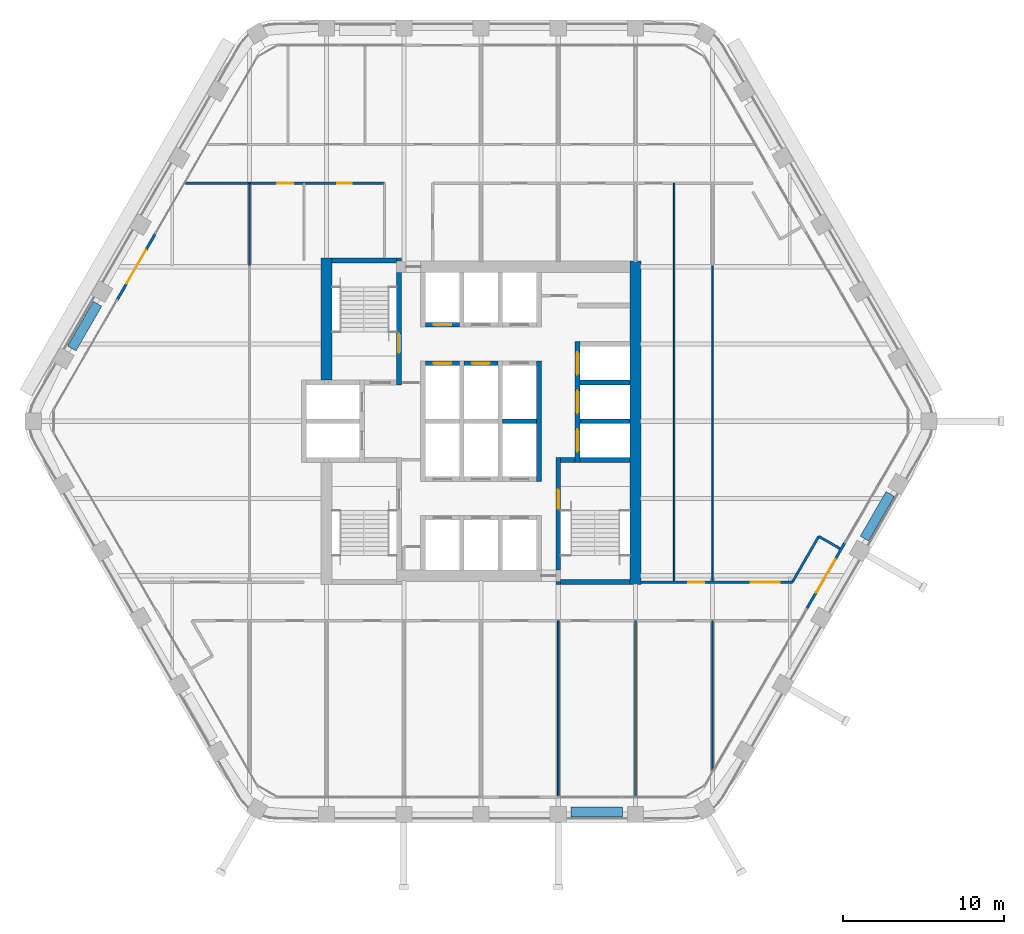
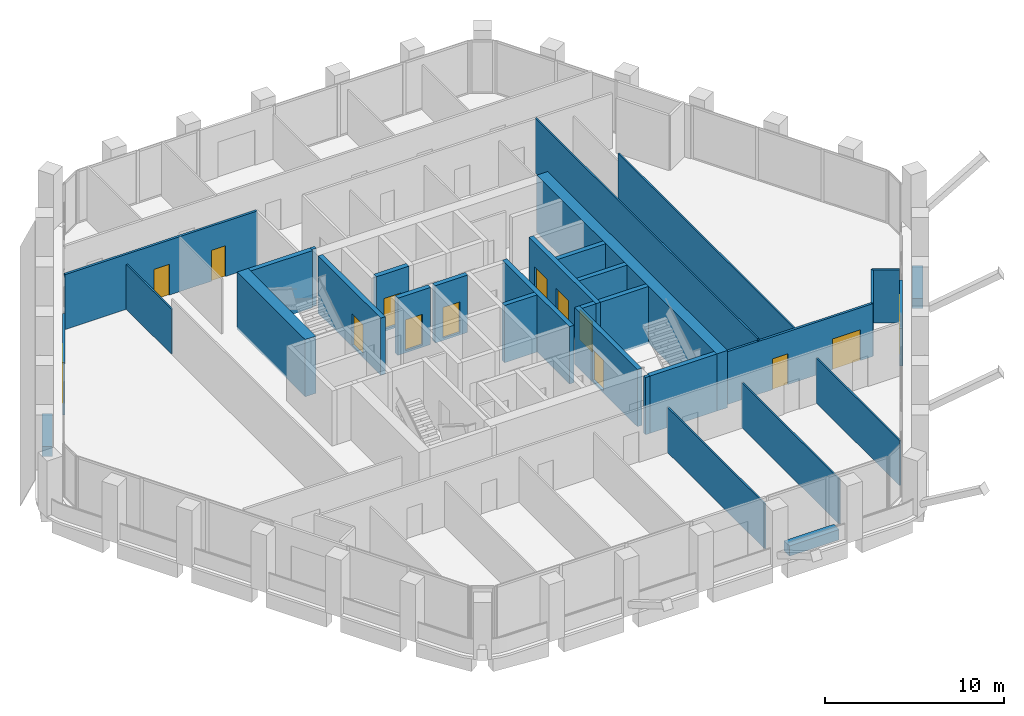
# One storey, part 11 of 16: 33 walls, 14 doors, 14 openings.
"""IFC4 building model written with IfcOpenShell, lengths in metres."""

from ifc_helpers import new_model, si_unit, direction, frame, frame_2d, origin, place, context, subcontext, project, spatial, rectangle, extrude, material, layer, layer_set, type_object, element, fill, save


model = new_model("IFC4")

# Units and contexts
model_context = context("Model", 3, precision=1e-05, world=origin(), true_north=direction((0.0, 1.0)))
body_context = subcontext(model_context, "Body", "Model", "MODEL_VIEW")
ifc_project = project(units=[si_unit("LENGTHUNIT", "METRE"), si_unit("AREAUNIT", "SQUARE_METRE"), si_unit("VOLUMEUNIT", "CUBIC_METRE"), si_unit("PLANEANGLEUNIT", "RADIAN"), si_unit("MASSUNIT", "GRAM", prefix="KILO")], contexts=[model_context])

# Site, building, storey
site_placement = place(None, origin())
site = spatial("IfcSite", under=ifc_project, at=site_placement, CompositionType="ELEMENT")
building_placement = place(site_placement, origin())
building = spatial("IfcBuilding", under=site, at=building_placement, Name="Kolab Exchange Tower", CompositionType="ELEMENT")
storey_placement = place(building_placement, frame((0.0, 0.0, 193.39990234375)))
storey = spatial("IfcBuildingStorey", under=building, at=storey_placement, Name="L41", CompositionType="ELEMENT", Elevation=193.39990234375)

# Walls
ifc_material_1 = material(Name="Concrete C60/75", Category="concrete")
ifc_layer_1 = layer(ifc_material_1, 0.699951171875)
ifc_layer_set_1 = layer_set([ifc_layer_1], Name="Concrete C60/75")
wall_type_1 = type_object("IfcWallType", Name="CORE WALL 700 C60/75", PredefinedType="SHEAR", material=ifc_layer_set_1)
wall_1_placement = place(storey_placement, frame((-9.60009765625, 2.550048828125, -0.14990234375), z_axis=(0.0, 0.0, 1.0), x_axis=(0.0, 1.0, 0.0)))
element("IfcWall", 1, at=wall_1_placement, inside=storey, type_object=wall_type_1, Name="wall/L41/core/037", PredefinedType="SHEAR", context=body_context, shape_type="SweptSolid", body=[
    extrude(rectangle(XDim=7.599853515625, YDim=0.699951171875, at=frame_2d((3.7998046875, 0.0))), origin(), (0.0, 0.0, 1.0), 3.89990234375),
])
wall_2_placement = place(storey_placement, frame((9.60009765625, -10.14990234375, -0.14990234375), z_axis=(0.0, 0.0, 1.0), x_axis=(0.0, 1.0, 0.0)))
element("IfcWall", 2, at=wall_2_placement, inside=storey, type_object=wall_type_1, Name="wall/L41/core/058", PredefinedType="SHEAR", context=body_context, shape_type="SweptSolid", body=[
    extrude(rectangle(XDim=20.099853515625, YDim=0.699951171875, at=frame_2d((10.0498046875, 0.0))), origin(), (0.0, 0.0, 1.0), 3.89990234375),
])

# Wall, opening, door
ifc_material_2 = material(Name="Aluminium EN AW-6063 T6", Category="aluminium")
ifc_layer_2 = layer(ifc_material_2, 0.159912109375)
ifc_layer_set_2 = layer_set([ifc_layer_2], Name="Aluminium EN AW-6063 T6")
wall_type_2 = type_object("IfcWallType", Name="DOOR SURROUND WALL 160 ALUMINIUM FRAMED", PredefinedType="PARTITIONING", material=ifc_layer_set_2)
wall_3_placement = place(storey_placement, frame((22.61669921875, -7.5498046875, 0.0), z_axis=(0.0, 0.0, 1.0), x_axis=(-0.5000167099, -0.866015756104, 0.0)))
wall_3 = element("IfcWall", 3, at=wall_3_placement, inside=storey, type_object=wall_type_2, Name="Door surround wall", PredefinedType="PARTITIONING", context=body_context, shape_type="SweptSolid", body=[
    extrude(rectangle(XDim=4.739990234375, YDim=0.159912109375, at=frame_2d((2.3701171875, 0.0))), origin(), (0.0, 0.0, 1.0), 2.550048828125),
])
opening_1_placement = place(wall_3_placement, frame((1.169921875, 0.0, 0.0)))
opening_1 = element("IfcOpeningElement", 4, at=opening_1_placement, cuts=wall_3, Name="Opening GD1-082", PredefinedType="OPENING", context=body_context, shape_type="SweptSolid", body=[
    extrude(rectangle(XDim=2.39990234375, YDim=2.39990234375, at=frame_2d((1.199951171875, 1.199951171875))), frame((0.0, 0.08984375, 0.0), z_axis=(0.0, -1.0, 0.0), x_axis=(1.0, 0.0, 0.0)), (0.0, 0.0, 1.0), 0.179931640625),
])
door_type_1 = type_object("IfcDoorType", Name="LOGGIA SLIDING GLASS DOOR 2400 X 2400", OperationType="DOUBLE_DOOR_SINGLE_SWING", PredefinedType="DOOR", material=ifc_material_2)
door_1_placement = place(opening_1_placement, origin())
door_1 = element("IfcDoor", 5, at=door_1_placement, inside=storey, type_object=door_type_1, Name="Loggia door", OperationType="DOUBLE_DOOR_SLIDING", OverallHeight=2.39990234375, OverallWidth=2.39990234375, PredefinedType="DOOR", context=body_context, shape_type="SweptSolid", body=[
    extrude(rectangle(XDim=2.39990234375, YDim=2.39990234375, at=frame_2d((1.199951171875, 1.199951171875))), frame((0.0, 0.02490234375, 0.0), z_axis=(0.0, -1.0, 0.0), x_axis=(1.0, 0.0, 0.0)), (0.0, 0.0, 1.0), 0.050048828125),
])
fill(opening_1, door_1)

wall_4_placement = place(storey_placement, frame((-22.61669921875, 7.5498046875, 0.0), z_axis=(0.0, 0.0, 1.0), x_axis=(0.5000167099, 0.866015756104, 0.0)))
wall_4 = element("IfcWall", 6, at=wall_4_placement, inside=storey, type_object=wall_type_2, Name="Door surround wall", PredefinedType="PARTITIONING", context=body_context, shape_type="SweptSolid", body=[
    extrude(rectangle(XDim=4.739990234375, YDim=0.159912109375, at=frame_2d((2.3701171875, 0.0))), origin(), (0.0, 0.0, 1.0), 3.60009765625),
])
opening_2_placement = place(wall_4_placement, frame((1.169921875, 0.0, 0.0)))
opening_2 = element("IfcOpeningElement", 7, at=opening_2_placement, cuts=wall_4, Name="Opening GD1-078", PredefinedType="OPENING", context=body_context, shape_type="SweptSolid", body=[
    extrude(rectangle(XDim=2.39990234375, YDim=2.39990234375, at=frame_2d((1.199951171875, 1.199951171875))), frame((0.0, 0.08984375, 0.0), z_axis=(0.0, -1.0, 0.0), x_axis=(1.0, 0.0, 0.0)), (0.0, 0.0, 1.0), 0.179931640625),
])
door_2_placement = place(opening_2_placement, origin())
door_2 = element("IfcDoor", 8, at=door_2_placement, inside=storey, type_object=door_type_1, Name="Loggia door", OperationType="DOUBLE_DOOR_SLIDING", OverallHeight=2.39990234375, OverallWidth=2.39990234375, PredefinedType="DOOR", context=body_context, shape_type="SweptSolid", body=[
    extrude(rectangle(XDim=2.39990234375, YDim=2.39990234375, at=frame_2d((1.199951171875, 1.199951171875))), frame((0.0, 0.02490234375, 0.0), z_axis=(0.0, -1.0, 0.0), x_axis=(1.0, 0.0, 0.0)), (0.0, 0.0, 1.0), 0.050048828125),
])
fill(opening_2, door_2)

# Walls
ifc_material_3 = material(Name="Concrete C50/60", Category="concrete")
ifc_layer_3 = layer(ifc_material_3, 0.300048828125)
ifc_layer_set_3 = layer_set([ifc_layer_3], Name="Concrete C50/60")
wall_type_3 = type_object("IfcWallType", Name="LIFT SHAFT WALL 300 C50/60", PredefinedType="STANDARD", material=ifc_layer_set_3)
wall_5_placement = place(storey_placement, frame((1.35009765625, 0.0, -0.14990234375), z_axis=(0.0, 0.0, 1.0), x_axis=(1.0, 0.0, 0.0)))
element("IfcWall", 9, at=wall_5_placement, inside=storey, type_object=wall_type_3, Name="wall/L41/core/017", PredefinedType="STANDARD", context=body_context, shape_type="SweptSolid", body=[
    extrude(rectangle(XDim=2.099853515625, YDim=0.300048828125, at=frame_2d((1.0498046875, 0.0))), origin(), (0.0, 0.0, 1.0), 3.89990234375),
])
for number, where, z_axis, x_axis, name in (
    (10, (6.14990234375, 0.0, -0.14990234375), (0.0, 0.0, 1.0), (1.0, 0.0, 0.0), "wall/L41/core/018"),
    (11, (6.14990234375, 2.39990234375, -0.14990234375), (0.0, 0.0, 1.0), (1.0, 0.0, 0.0), "wall/L41/core/022"),
):
    element("IfcWall", number, at=place(storey_placement, frame(where, z_axis=z_axis, x_axis=x_axis)), inside=storey, type_object=wall_type_3, Name=name, PredefinedType="STANDARD", context=body_context, shape_type="SweptSolid", body=[
        extrude(rectangle(XDim=3.10009765625, YDim=0.300048828125, at=frame_2d((1.550048828125, 0.0))), origin(), (0.0, 0.0, 1.0), 3.89990234375),
    ])

# Wall, opening, door
wall_6_placement = place(storey_placement, frame((-3.449951171875, 3.60009765625, -0.14990234375), z_axis=(0.0, 0.0, 1.0), x_axis=(1.0, 0.0, 0.0)))
wall_6 = element("IfcWall", 12, at=wall_6_placement, inside=storey, type_object=wall_type_3, Name="wall/L41/core/023", PredefinedType="STANDARD", context=body_context, shape_type="SweptSolid", body=[
    extrude(rectangle(XDim=2.099853515625, YDim=0.300048828125, at=frame_2d((1.0498046875, 0.0))), origin(), (0.0, 0.0, 1.0), 3.89990234375),
])
opening_3_placement = place(wall_6_placement, frame((0.5, 0.0, 0.14990234375)))
opening_3 = element("IfcOpeningElement", 13, at=opening_3_placement, cuts=wall_6, Name="Opening LD1-115", PredefinedType="OPENING", context=body_context, shape_type="SweptSolid", body=[
    extrude(rectangle(XDim=1.10009765625, YDim=2.10009765625, at=frame_2d((0.550048828125, 1.050048828125))), frame((0.0, 0.16015625, 0.0), z_axis=(0.0, -1.0, 0.0), x_axis=(1.0, 0.0, 0.0)), (0.0, 0.0, 1.0), 0.320068359375),
])
ifc_material_4 = material(Name="Stainless steel 316", Category="steel")
door_type_2 = type_object("IfcDoorType", Name="LANDING DOOR 1100 PASSENGER", OperationType="DOUBLE_DOOR_SLIDING", PredefinedType="DOOR", material=ifc_material_4)
door_3_placement = place(opening_3_placement, origin())
door_3 = element("IfcDoor", 14, at=door_3_placement, inside=storey, type_object=door_type_2, Name="Landing door HR4", OperationType="DOUBLE_DOOR_SLIDING", OverallHeight=2.10009765625, OverallWidth=1.10009765625, PredefinedType="DOOR", context=body_context, shape_type="SweptSolid", body=[
    extrude(rectangle(XDim=1.10009765625, YDim=2.10009765625, at=frame_2d((0.550048828125, 1.050048828125))), frame((0.0, 0.02490234375, 0.0), z_axis=(0.0, -1.0, 0.0), x_axis=(1.0, 0.0, 0.0)), (0.0, 0.0, 1.0), 0.050048828125),
])
fill(opening_3, door_3)

wall_7_placement = place(storey_placement, frame((-1.050048828125, 3.60009765625, -0.14990234375), z_axis=(0.0, 0.0, 1.0), x_axis=(1.0, 0.0, 0.0)))
wall_7 = element("IfcWall", 15, at=wall_7_placement, inside=storey, type_object=wall_type_3, Name="wall/L41/core/024", PredefinedType="STANDARD", context=body_context, shape_type="SweptSolid", body=[
    extrude(rectangle(XDim=2.10009765625, YDim=0.300048828125, at=frame_2d((1.050048828125, 0.0))), origin(), (0.0, 0.0, 1.0), 3.89990234375),
])
opening_4_placement = place(wall_7_placement, frame((0.5, 0.0, 0.14990234375)))
opening_4 = element("IfcOpeningElement", 16, at=opening_4_placement, cuts=wall_7, Name="Opening LD1-116", PredefinedType="OPENING", context=body_context, shape_type="SweptSolid", body=[
    extrude(rectangle(XDim=1.10009765625, YDim=2.10009765625, at=frame_2d((0.550048828125, 1.050048828125))), frame((0.0, 0.16015625, 0.0), z_axis=(0.0, -1.0, 0.0), x_axis=(1.0, 0.0, 0.0)), (0.0, 0.0, 1.0), 0.320068359375),
])
door_4_placement = place(opening_4_placement, origin())
door_4 = element("IfcDoor", 17, at=door_4_placement, inside=storey, type_object=door_type_2, Name="Landing door HR5", OperationType="DOUBLE_DOOR_SLIDING", OverallHeight=2.10009765625, OverallWidth=1.10009765625, PredefinedType="DOOR", context=body_context, shape_type="SweptSolid", body=[
    extrude(rectangle(XDim=1.10009765625, YDim=2.10009765625, at=frame_2d((0.550048828125, 1.050048828125))), frame((0.0, 0.02490234375, 0.0), z_axis=(0.0, -1.0, 0.0), x_axis=(1.0, 0.0, 0.0)), (0.0, 0.0, 1.0), 0.050048828125),
])
fill(opening_4, door_4)

wall_8_placement = place(storey_placement, frame((-3.449951171875, 6.0, -0.14990234375), z_axis=(0.0, 0.0, 1.0), x_axis=(1.0, 0.0, 0.0)))
wall_8 = element("IfcWall", 18, at=wall_8_placement, inside=storey, type_object=wall_type_3, Name="wall/L41/core/027", PredefinedType="STANDARD", context=body_context, shape_type="SweptSolid", body=[
    extrude(rectangle(XDim=2.099853515625, YDim=0.300048828125, at=frame_2d((1.0498046875, 0.0))), origin(), (0.0, 0.0, 1.0), 3.89990234375),
])
opening_5_placement = place(wall_8_placement, frame((0.5, 0.0, 0.14990234375)))
opening_5 = element("IfcOpeningElement", 19, at=opening_5_placement, cuts=wall_8, Name="Opening LD1-109", PredefinedType="OPENING", context=body_context, shape_type="SweptSolid", body=[
    extrude(rectangle(XDim=1.10009765625, YDim=2.10009765625, at=frame_2d((0.550048828125, 1.050048828125))), frame((0.0, 0.16015625, 0.0), z_axis=(0.0, -1.0, 0.0), x_axis=(1.0, 0.0, 0.0)), (0.0, 0.0, 1.0), 0.320068359375),
])
door_5_placement = place(opening_5_placement, origin())
door_5 = element("IfcDoor", 20, at=door_5_placement, inside=storey, type_object=door_type_2, Name="Landing door HR1", OperationType="DOUBLE_DOOR_SLIDING", OverallHeight=2.10009765625, OverallWidth=1.10009765625, PredefinedType="DOOR", context=body_context, shape_type="SweptSolid", body=[
    extrude(rectangle(XDim=1.10009765625, YDim=2.10009765625, at=frame_2d((0.550048828125, 1.050048828125))), frame((0.0, 0.02490234375, 0.0), z_axis=(0.0, -1.0, 0.0), x_axis=(1.0, 0.0, 0.0)), (0.0, 0.0, 1.0), 0.050048828125),
])
fill(opening_5, door_5)

# Wall
wall_9_placement = place(storey_placement, frame((3.60009765625, -3.75, -0.14990234375), z_axis=(0.0, 0.0, 1.0), x_axis=(0.0, 1.0, 0.0)))
element("IfcWall", 21, at=wall_9_placement, inside=storey, type_object=wall_type_3, Name="wall/L41/core/053", PredefinedType="STANDARD", context=body_context, shape_type="SweptSolid", body=[
    extrude(rectangle(XDim=7.5, YDim=0.300048828125, at=frame_2d((3.75, 0.0))), origin(), (0.0, 0.0, 1.0), 3.89990234375),
])

# Wall, openings, doors
wall_10_placement = place(storey_placement, frame((6.0, -2.550048828125, -0.14990234375), z_axis=(0.0, 0.0, 1.0), x_axis=(0.0, 1.0, 0.0)))
wall_10 = element("IfcWall", 22, at=wall_10_placement, inside=storey, type_object=wall_type_3, Name="wall/L41/core/057", PredefinedType="STANDARD", context=body_context, shape_type="SweptSolid", body=[
    extrude(rectangle(XDim=7.5, YDim=0.300048828125, at=frame_2d((3.75, 0.0))), origin(), (0.0, 0.0, 1.0), 3.89990234375),
])
opening_6_placement = place(wall_10_placement, frame((0.64990234375, 0.0, 0.14990234375)))
opening_6 = element("IfcOpeningElement", 23, at=opening_6_placement, cuts=wall_10, Name="Opening LD3-037", PredefinedType="OPENING", context=body_context, shape_type="SweptSolid", body=[
    extrude(rectangle(XDim=1.39990234375, YDim=2.10009765625, at=frame_2d((0.699951171875, 1.050048828125))), frame((0.0, 0.16015625, 0.0), z_axis=(0.0, -1.0, 0.0), x_axis=(1.0, 0.0, 0.0)), (0.0, 0.0, 1.0), 0.320068359375),
])
opening_7_placement = place(wall_10_placement, frame((3.050048828125, 0.0, 0.14990234375)))
opening_7 = element("IfcOpeningElement", 24, at=opening_7_placement, cuts=wall_10, Name="Opening LD3-038", PredefinedType="OPENING", context=body_context, shape_type="SweptSolid", body=[
    extrude(rectangle(XDim=1.39990234375, YDim=2.10009765625, at=frame_2d((0.699951171875, 1.050048828125))), frame((0.0, 0.16015625, 0.0), z_axis=(0.0, -1.0, 0.0), x_axis=(1.0, 0.0, 0.0)), (0.0, 0.0, 1.0), 0.320068359375),
])
opening_8_placement = place(wall_10_placement, frame((5.449951171875, 0.0, 0.14990234375)))
opening_8 = element("IfcOpeningElement", 25, at=opening_8_placement, cuts=wall_10, Name="Opening LD3-039", PredefinedType="OPENING", context=body_context, shape_type="SweptSolid", body=[
    extrude(rectangle(XDim=1.39990234375, YDim=2.10009765625, at=frame_2d((0.699951171875, 1.050048828125))), frame((0.0, 0.16015625, 0.0), z_axis=(0.0, -1.0, 0.0), x_axis=(1.0, 0.0, 0.0)), (0.0, 0.0, 1.0), 0.320068359375),
])
door_type_3 = type_object("IfcDoorType", Name="LANDING DOOR 1400 SERVICE", OperationType="DOUBLE_DOOR_SLIDING", PredefinedType="DOOR", material=ifc_material_4)
door_6_placement = place(opening_6_placement, origin())
door_6 = element("IfcDoor", 26, at=door_6_placement, inside=storey, type_object=door_type_3, Name="Landing door SV1", OperationType="DOUBLE_DOOR_SLIDING", OverallHeight=2.10009765625, OverallWidth=1.39990234375, PredefinedType="DOOR", context=body_context, shape_type="SweptSolid", body=[
    extrude(rectangle(XDim=1.39990234375, YDim=2.10009765625, at=frame_2d((0.699951171875, 1.050048828125))), frame((0.0, 0.02490234375, 0.0), z_axis=(0.0, -1.0, 0.0), x_axis=(1.0, 0.0, 0.0)), (0.0, 0.0, 1.0), 0.050048828125),
])
fill(opening_6, door_6)
door_7_placement = place(opening_7_placement, origin())
door_7 = element("IfcDoor", 27, at=door_7_placement, inside=storey, type_object=door_type_3, Name="Landing door SV2", OperationType="DOUBLE_DOOR_SLIDING", OverallHeight=2.10009765625, OverallWidth=1.39990234375, PredefinedType="DOOR", context=body_context, shape_type="SweptSolid", body=[
    extrude(rectangle(XDim=1.39990234375, YDim=2.10009765625, at=frame_2d((0.699951171875, 1.050048828125))), frame((0.0, 0.02490234375, 0.0), z_axis=(0.0, -1.0, 0.0), x_axis=(1.0, 0.0, 0.0)), (0.0, 0.0, 1.0), 0.050048828125),
])
fill(opening_7, door_7)
door_8_placement = place(opening_8_placement, origin())
door_8 = element("IfcDoor", 28, at=door_8_placement, inside=storey, type_object=door_type_3, Name="Landing door SV3", OperationType="DOUBLE_DOOR_SLIDING", OverallHeight=2.10009765625, OverallWidth=1.39990234375, PredefinedType="DOOR", context=body_context, shape_type="SweptSolid", body=[
    extrude(rectangle(XDim=1.39990234375, YDim=2.10009765625, at=frame_2d((0.699951171875, 1.050048828125))), frame((0.0, 0.02490234375, 0.0), z_axis=(0.0, -1.0, 0.0), x_axis=(1.0, 0.0, 0.0)), (0.0, 0.0, 1.0), 0.050048828125),
])
fill(opening_8, door_8)

# Walls
ifc_material_5 = material(Name="Gypsum board", Category="gypsum")
ifc_layer_4 = layer(ifc_material_5, 0.10009765625)
ifc_layer_set_4 = layer_set([ifc_layer_4], Name="Gypsum board")
wall_type_4 = type_object("IfcWallType", Name="PARTITION 100", PredefinedType="PARTITIONING", material=ifc_layer_set_4)
wall_11_placement = place(storey_placement, frame((14.39990234375, -21.701416015625, 0.0), z_axis=(0.0, 0.0, 1.0), x_axis=(0.0, 1.0, 0.0)))
element("IfcWall", 29, at=wall_11_placement, inside=storey, type_object=wall_type_4, Name="Partition 000", PredefinedType="PARTITIONING", context=body_context, shape_type="SweptSolid", body=[
    extrude(rectangle(XDim=9.301513671875, YDim=0.10009765625, at=frame_2d((4.65087890625, 0.0))), origin(), (0.0, 0.0, 1.0), 3.066162109375),
])
wall_12_placement = place(storey_placement, frame((14.39990234375, -10.0, 0.0), z_axis=(0.0, 0.0, 1.0), x_axis=(0.0, 1.0, 0.0)))
element("IfcWall", 30, at=wall_12_placement, inside=storey, type_object=wall_type_4, Name="Partition 001", PredefinedType="PARTITIONING", context=body_context, shape_type="SweptSolid", body=[
    extrude(rectangle(XDim=19.693603515625, YDim=0.10009765625, at=frame_2d((9.8466796875, 0.0))), origin(), (0.0, 0.0, 1.0), 3.60009765625),
])
wall_13_placement = place(storey_placement, frame((12.0, -10.0, 0.0), z_axis=(0.0, 0.0, 1.0), x_axis=(0.0, 1.0, 0.0)))
element("IfcWall", 31, at=wall_13_placement, inside=storey, type_object=wall_type_4, Name="Partition 002", PredefinedType="PARTITIONING", context=body_context, shape_type="SweptSolid", body=[
    extrude(rectangle(XDim=24.800048828125, YDim=0.10009765625, at=frame_2d((12.39990234375, 0.0))), origin(), (0.0, 0.0, 1.0), 3.75),
])
wall_14_placement = place(storey_placement, frame((9.60009765625, -23.271484375, 0.0), z_axis=(0.0, 0.0, 1.0), x_axis=(0.0, 1.0, 0.0)))
element("IfcWall", 32, at=wall_14_placement, inside=storey, type_object=wall_type_4, Name="Partition 003", PredefinedType="PARTITIONING", context=body_context, shape_type="SweptSolid", body=[
    extrude(rectangle(XDim=10.87158203125, YDim=0.10009765625, at=frame_2d((5.435791015625, 0.0))), origin(), (0.0, 0.0, 1.0), 3.066162109375),
])
wall_15_placement = place(storey_placement, frame((4.800048828125, -23.281494140625, 0.0), z_axis=(0.0, 0.0, 1.0), x_axis=(0.0, 1.0, 0.0)))
element("IfcWall", 33, at=wall_15_placement, inside=storey, type_object=wall_type_4, Name="Partition 006", PredefinedType="PARTITIONING", context=body_context, shape_type="SweptSolid", body=[
    extrude(rectangle(XDim=10.881591796875, YDim=0.10009765625, at=frame_2d((5.44091796875, 0.0))), origin(), (0.0, 0.0, 1.0), 3.066162109375),
])
wall_16_placement = place(storey_placement, frame((-14.39990234375, 9.693603515625, 0.0), z_axis=(0.0, 0.0, 1.0), x_axis=(0.0, 1.0, 0.0)))
element("IfcWall", 34, at=wall_16_placement, inside=storey, type_object=wall_type_4, Name="Partition 021", PredefinedType="PARTITIONING", context=body_context, shape_type="SweptSolid", body=[
    extrude(rectangle(XDim=5.1064453125, YDim=0.10009765625, at=frame_2d((2.55322265625, 0.0))), origin(), (0.0, 0.0, 1.0), 3.066162109375),
])
ifc_layer_5 = layer(ifc_material_5, 0.14990234375)
ifc_layer_set_5 = layer_set([ifc_layer_5], Name="Gypsum board")
wall_type_5 = type_object("IfcWallType", Name="PARTITION 150 FIRE-RATED", PredefinedType="PARTITIONING", material=ifc_layer_set_5)
wall_17_placement = place(storey_placement, frame((19.3544921875, -10.0, 0.0), z_axis=(0.0, 0.0, 1.0), x_axis=(0.500009969958, 0.86601964755, 0.0)))
element("IfcWall", 35, at=wall_17_placement, inside=storey, type_object=wall_type_5, Name="Partition 024", PredefinedType="PARTITIONING", context=body_context, shape_type="SweptSolid", body=[
    extrude(rectangle(XDim=3.283203125, YDim=0.14990234375, at=frame_2d((1.6416015625, 0.0))), origin(), (0.0, 0.0, 1.0), 3.60009765625),
])
wall_18_placement = place(storey_placement, frame((20.99609375, -7.15673828125, 0.0), z_axis=(0.0, 0.0, 1.0), x_axis=(0.865960906633, -0.500111695708, 0.0)))
element("IfcWall", 36, at=wall_18_placement, inside=storey, type_object=wall_type_5, Name="Partition 025", PredefinedType="PARTITIONING", context=body_context, shape_type="SweptSolid", body=[
    extrude(rectangle(XDim=1.520263671875, YDim=0.14990234375, at=frame_2d((0.76025390625, 0.0))), origin(), (0.0, 0.0, 1.0), 3.60009765625),
])

# Wall, openings, doors
wall_19_placement = place(storey_placement, frame((9.949951171875, -10.0, 0.0), z_axis=(0.0, 0.0, 1.0), x_axis=(1.0, 0.0, 0.0)))
wall_19 = element("IfcWall", 37, at=wall_19_placement, inside=storey, type_object=wall_type_5, Name="Partition 030", PredefinedType="PARTITIONING", context=body_context, shape_type="SweptSolid", body=[
    extrude(rectangle(XDim=9.404541015625, YDim=0.14990234375, at=frame_2d((4.7021484375, 0.0))), origin(), (0.0, 0.0, 1.0), 3.60009765625),
])
opening_9_placement = place(wall_19_placement, frame((2.925048828125, 0.0, 0.0)))
opening_9 = element("IfcOpeningElement", 38, at=opening_9_placement, cuts=wall_19, Name="Opening D1-547", PredefinedType="OPENING", context=body_context, shape_type="SweptSolid", body=[
    extrude(rectangle(XDim=1.0, YDim=2.10009765625, at=frame_2d((0.5, 1.050048828125))), frame((0.0, 0.0849609375, 0.0), z_axis=(0.0, -1.0, 0.0), x_axis=(1.0, 0.0, 0.0)), (0.0, 0.0, 1.0), 0.169921875),
])
opening_10_placement = place(wall_19_placement, frame((6.81640625, 0.0, 0.0)))
opening_10 = element("IfcOpeningElement", 39, at=opening_10_placement, cuts=wall_19, Name="Opening D2-056", PredefinedType="OPENING", context=body_context, shape_type="SweptSolid", body=[
    extrude(rectangle(XDim=1.800048828125, YDim=2.10009765625, at=frame_2d((0.89990234375, 1.050048828125))), frame((0.0, 0.0849609375, 0.0), z_axis=(0.0, -1.0, 0.0), x_axis=(1.0, 0.0, 0.0)), (0.0, 0.0, 1.0), 0.169921875),
])
ifc_material_6 = material(Name="Steel S235", Category="steel")
door_type_4 = type_object("IfcDoorType", Name="DOUBLE DOOR 1800 FD60", OperationType="DOUBLE_DOOR_SINGLE_SWING", PredefinedType="DOOR", material=ifc_material_6)
door_9_placement = place(opening_10_placement, origin())
door_9 = element("IfcDoor", 40, at=door_9_placement, inside=storey, type_object=door_type_4, Name="Door L41-050", OperationType="SINGLE_SWING_RIGHT", OverallHeight=2.10009765625, OverallWidth=1.800048828125, PredefinedType="DOOR", context=body_context, shape_type="SweptSolid", body=[
    extrude(rectangle(XDim=1.800048828125, YDim=2.10009765625, at=frame_2d((0.89990234375, 1.050048828125))), frame((0.0, 0.02490234375, 0.0), z_axis=(0.0, -1.0, 0.0), x_axis=(1.0, 0.0, 0.0)), (0.0, 0.0, 1.0), 0.050048828125),
])
fill(opening_10, door_9)
door_type_5 = type_object("IfcDoorType", Name="FLUSH DOOR 1000 FD60", OperationType="SINGLE_SWING_LEFT", PredefinedType="DOOR", material=ifc_material_6)
door_10_placement = place(opening_9_placement, origin())
door_10 = element("IfcDoor", 41, at=door_10_placement, inside=storey, type_object=door_type_5, Name="Door L41-049", OperationType="SINGLE_SWING_RIGHT", OverallHeight=2.10009765625, OverallWidth=1.0, PredefinedType="DOOR", context=body_context, shape_type="SweptSolid", body=[
    extrude(rectangle(XDim=1.0, YDim=2.10009765625, at=frame_2d((0.5, 1.050048828125))), frame((0.0, 0.02490234375, 0.0), z_axis=(0.0, -1.0, 0.0), x_axis=(1.0, 0.0, 0.0)), (0.0, 0.0, 1.0), 0.050048828125),
])
fill(opening_9, door_10)

wall_20_placement = place(storey_placement, frame((-18.384521484375, 14.800048828125, 0.0), z_axis=(0.0, 0.0, 1.0), x_axis=(1.0, 0.0, 0.0)))
wall_20 = element("IfcWall", 42, at=wall_20_placement, inside=storey, type_object=wall_type_5, Name="Partition 033", PredefinedType="PARTITIONING", context=body_context, shape_type="SweptSolid", body=[
    extrude(rectangle(XDim=12.384521484375, YDim=0.14990234375, at=frame_2d((6.1923828125, 0.0))), origin(), (0.0, 0.0, 1.0), 3.75),
])
opening_11_placement = place(wall_20_placement, frame((9.4345703125, 0.0, 0.0)))
opening_11 = element("IfcOpeningElement", 43, at=opening_11_placement, cuts=wall_20, Name="Opening D3-059", PredefinedType="OPENING", context=body_context, shape_type="SweptSolid", body=[
    extrude(rectangle(XDim=0.89990234375, YDim=2.10009765625, at=frame_2d((0.449951171875, 1.050048828125))), frame((0.0, 0.0849609375, 0.0), z_axis=(0.0, -1.0, 0.0), x_axis=(1.0, 0.0, 0.0)), (0.0, 0.0, 1.0), 0.169921875),
])
opening_12_placement = place(wall_20_placement, frame((5.709716796875, 0.0, 0.0)))
opening_12 = element("IfcOpeningElement", 44, at=opening_12_placement, cuts=wall_20, Name="Opening D1-548", PredefinedType="OPENING", context=body_context, shape_type="SweptSolid", body=[
    extrude(rectangle(XDim=1.0, YDim=2.10009765625, at=frame_2d((0.5, 1.050048828125))), frame((0.0, 0.0849609375, 0.0), z_axis=(0.0, -1.0, 0.0), x_axis=(1.0, 0.0, 0.0)), (0.0, 0.0, 1.0), 0.169921875),
])
door_11_placement = place(opening_12_placement, frame((1.0, 0.0, 0.0), z_axis=(0.0, 0.0, 1.0), x_axis=(-1.0, 0.0, 0.0)))
door_11 = element("IfcDoor", 45, at=door_11_placement, inside=storey, type_object=door_type_5, Name="Door L41-052", OperationType="SINGLE_SWING_RIGHT", OverallHeight=2.10009765625, OverallWidth=1.0, PredefinedType="DOOR", context=body_context, shape_type="SweptSolid", body=[
    extrude(rectangle(XDim=1.0, YDim=2.10009765625, at=frame_2d((0.5, 1.050048828125))), frame((0.0, 0.02490234375, 0.0), z_axis=(0.0, -1.0, 0.0), x_axis=(1.0, 0.0, 0.0)), (0.0, 0.0, 1.0), 0.050048828125),
])
fill(opening_12, door_11)
door_type_6 = type_object("IfcDoorType", Name="FLUSH DOOR 900 FD60", OperationType="SINGLE_SWING_LEFT", PredefinedType="DOOR", material=ifc_material_6)
door_12_placement = place(opening_11_placement, frame((0.89990234375, 0.0, 0.0), z_axis=(0.0, 0.0, 1.0), x_axis=(-1.0, 0.0, 0.0)))
door_12 = element("IfcDoor", 46, at=door_12_placement, inside=storey, type_object=door_type_6, Name="Door L41-033", OperationType="SINGLE_SWING_LEFT", OverallHeight=2.10009765625, OverallWidth=0.89990234375, PredefinedType="DOOR", context=body_context, shape_type="SweptSolid", body=[
    extrude(rectangle(XDim=0.89990234375, YDim=2.10009765625, at=frame_2d((0.449951171875, 1.050048828125))), frame((0.0, 0.02490234375, 0.0), z_axis=(0.0, -1.0, 0.0), x_axis=(1.0, 0.0, 0.0)), (0.0, 0.0, 1.0), 0.050048828125),
])
fill(opening_11, door_12)

# Walls
ifc_material_7 = material(Name="Granite facing", Category="masonry")
ifc_layer_6 = layer(ifc_material_7, 0.0400390625)
ifc_material_8 = material(Name="Concrete C40/50 precast", Category="concrete")
ifc_layer_7 = layer(ifc_material_8, 0.56005859375)
ifc_layer_set_6 = layer_set([ifc_layer_6, ifc_layer_7], Name="Concrete C40/50 precast")
wall_type_6 = type_object("IfcWallType", Name="PLANTER BOX 600 X 700 SOIL DEPTH 550", PredefinedType="USERDEFINED", material=ifc_layer_set_6)
wall_21_placement = place(storey_placement, frame((25.43701171875, -4.524658203125, 0.0), z_axis=(0.0, 0.0, 1.0), x_axis=(-0.499938187974, -0.866061088033, 0.0)))
element("IfcWall", 47, at=wall_21_placement, inside=storey, type_object=wall_type_6, Name="Planter", ObjectType="PLANTER", PredefinedType="USERDEFINED", context=body_context, shape_type="SweptSolid", body=[
    extrude(rectangle(XDim=3.2001953125, YDim=0.60009765625, at=frame_2d((1.60009765625, 0.0))), origin(), (0.0, 0.0, 1.0), 0.7001953125),
])
wall_22_placement = place(storey_placement, frame((8.800048828125, -24.29150390625, 0.0), z_axis=(0.0, 0.0, 1.0), x_axis=(-1.0, 0.0, 0.0)))
element("IfcWall", 48, at=wall_22_placement, inside=storey, type_object=wall_type_6, Name="Planter", ObjectType="PLANTER", PredefinedType="USERDEFINED", context=body_context, shape_type="SweptSolid", body=[
    extrude(rectangle(XDim=3.199951171875, YDim=0.60009765625, at=frame_2d((1.60009765625, 0.0))), origin(), (0.0, 0.0, 1.0), 0.7001953125),
])
wall_23_placement = place(storey_placement, frame((-25.43701171875, 4.524658203125, 0.0), z_axis=(0.0, 0.0, 1.0), x_axis=(0.499938187974, 0.866061088033, 0.0)))
element("IfcWall", 49, at=wall_23_placement, inside=storey, type_object=wall_type_6, Name="Planter", ObjectType="PLANTER", PredefinedType="USERDEFINED", context=body_context, shape_type="SweptSolid", body=[
    extrude(rectangle(XDim=3.2001953125, YDim=0.60009765625, at=frame_2d((1.60009765625, 0.0))), origin(), (0.0, 0.0, 1.0), 0.7001953125),
])
ifc_layer_8 = layer(ifc_material_3, 0.300048828125)
ifc_layer_set_7 = layer_set([ifc_layer_8], Name="Concrete C50/60")
wall_type_7 = type_object("IfcWallType", Name="STAIR ENCLOSURE WALL 300 C50/60", PredefinedType="STANDARD", material=ifc_layer_set_7)
wall_24_placement = place(storey_placement, frame((4.949951171875, -10.0, -0.14990234375), z_axis=(0.0, 0.0, 1.0), x_axis=(1.0, 0.0, 0.0)))
element("IfcWall", 50, at=wall_24_placement, inside=storey, type_object=wall_type_7, Name="wall/L41/core/001", PredefinedType="STANDARD", context=body_context, shape_type="SweptSolid", body=[
    extrude(rectangle(XDim=4.300048828125, YDim=0.300048828125, at=frame_2d((2.14990234375, 0.0))), origin(), (0.0, 0.0, 1.0), 3.89990234375),
])
wall_25_placement = place(storey_placement, frame((4.949951171875, -2.39990234375, -0.14990234375), z_axis=(0.0, 0.0, 1.0), x_axis=(1.0, 0.0, 0.0)))
element("IfcWall", 51, at=wall_25_placement, inside=storey, type_object=wall_type_7, Name="wall/L41/core/012", PredefinedType="STANDARD", context=body_context, shape_type="SweptSolid", body=[
    extrude(rectangle(XDim=0.900146484375, YDim=0.300048828125, at=frame_2d((0.4501953125, 0.0))), origin(), (0.0, 0.0, 1.0), 3.89990234375),
])
wall_26_placement = place(storey_placement, frame((6.14990234375, -2.39990234375, -0.14990234375), z_axis=(0.0, 0.0, 1.0), x_axis=(1.0, 0.0, 0.0)))
element("IfcWall", 52, at=wall_26_placement, inside=storey, type_object=wall_type_7, Name="wall/L41/core/013", PredefinedType="STANDARD", context=body_context, shape_type="SweptSolid", body=[
    extrude(rectangle(XDim=3.10009765625, YDim=0.300048828125, at=frame_2d((1.550048828125, 0.0))), origin(), (0.0, 0.0, 1.0), 3.89990234375),
])
wall_27_placement = place(storey_placement, frame((-9.25, 10.0, -0.14990234375), z_axis=(0.0, 0.0, 1.0), x_axis=(1.0, 0.0, 0.0)))
element("IfcWall", 53, at=wall_27_placement, inside=storey, type_object=wall_type_7, Name="wall/L41/core/032", PredefinedType="STANDARD", context=body_context, shape_type="SweptSolid", body=[
    extrude(rectangle(XDim=4.0, YDim=0.300048828125, at=frame_2d((2.0, 0.0))), origin(), (0.0, 0.0, 1.0), 3.89990234375),
])

# Wall, opening, door
wall_28_placement = place(storey_placement, frame((-5.10009765625, 2.25, -0.14990234375), z_axis=(0.0, 0.0, 1.0), x_axis=(0.0, 1.0, 0.0)))
wall_28 = element("IfcWall", 54, at=wall_28_placement, inside=storey, type_object=wall_type_7, Name="wall/L41/core/041", PredefinedType="STANDARD", context=body_context, shape_type="SweptSolid", body=[
    extrude(rectangle(XDim=7.0, YDim=0.300048828125, at=frame_2d((3.5, 0.0))), origin(), (0.0, 0.0, 1.0), 3.89990234375),
])
opening_13_placement = place(wall_28_placement, frame((2.0, 0.0, 0.14990234375)))
opening_13 = element("IfcOpeningElement", 55, at=opening_13_placement, cuts=wall_28, Name="Opening D4-066", PredefinedType="OPENING", context=body_context, shape_type="SweptSolid", body=[
    extrude(rectangle(XDim=1.199951171875, YDim=2.10009765625, at=frame_2d((0.60009765625, 1.050048828125))), frame((0.0, 0.16015625, 0.0), z_axis=(0.0, -1.0, 0.0), x_axis=(1.0, 0.0, 0.0)), (0.0, 0.0, 1.0), 0.320068359375),
])
door_type_7 = type_object("IfcDoorType", Name="STAIR DOOR 1200 EI 120", OperationType="SINGLE_SWING_LEFT", PredefinedType="DOOR", material=ifc_material_6)
door_13_placement = place(opening_13_placement, origin())
door_13 = element("IfcDoor", 56, at=door_13_placement, inside=storey, type_object=door_type_7, Name="Stair 1 door", OperationType="SINGLE_SWING_LEFT", OverallHeight=2.10009765625, OverallWidth=1.199951171875, PredefinedType="DOOR", context=body_context, shape_type="SweptSolid", body=[
    extrude(rectangle(XDim=1.199951171875, YDim=2.10009765625, at=frame_2d((0.60009765625, 1.050048828125))), frame((0.0, 0.02490234375, 0.0), z_axis=(0.0, -1.0, 0.0), x_axis=(1.0, 0.0, 0.0)), (0.0, 0.0, 1.0), 0.050048828125),
])
fill(opening_13, door_13)

# Walls
for number, where, z_axis, x_axis, name in (
    (57, (-5.10009765625, 9.949951171875, -0.14990234375), (0.0, 0.0, 1.0), (0.0, 1.0, 0.0), "wall/L41/core/042"),
    (58, (4.800048828125, -10.14990234375, -0.14990234375), (0.0, 0.0, 1.0), (0.0, 1.0, 0.0), "wall/L41/core/055"),
):
    element("IfcWall", number, at=place(storey_placement, frame(where, z_axis=z_axis, x_axis=x_axis)), inside=storey, type_object=wall_type_7, Name=name, PredefinedType="STANDARD", context=body_context, shape_type="SweptSolid", body=[
        extrude(rectangle(XDim=0.199951171875, YDim=0.300048828125, at=frame_2d((0.10009765625, 0.0))), origin(), (0.0, 0.0, 1.0), 3.89990234375),
    ])

# Wall, opening, door
wall_29_placement = place(storey_placement, frame((4.800048828125, -9.25, -0.14990234375), z_axis=(0.0, 0.0, 1.0), x_axis=(0.0, 1.0, 0.0)))
wall_29 = element("IfcWall", 59, at=wall_29_placement, inside=storey, type_object=wall_type_7, Name="wall/L41/core/056", PredefinedType="STANDARD", context=body_context, shape_type="SweptSolid", body=[
    extrude(rectangle(XDim=7.0, YDim=0.300048828125, at=frame_2d((3.5, 0.0))), origin(), (0.0, 0.0, 1.0), 3.89990234375),
])
opening_14_placement = place(wall_29_placement, frame((3.800048828125, 0.0, 0.14990234375)))
opening_14 = element("IfcOpeningElement", 60, at=opening_14_placement, cuts=wall_29, Name="Opening D4-067", PredefinedType="OPENING", context=body_context, shape_type="SweptSolid", body=[
    extrude(rectangle(XDim=1.199951171875, YDim=2.10009765625, at=frame_2d((0.60009765625, 1.050048828125))), frame((0.0, 0.16015625, 0.0), z_axis=(0.0, -1.0, 0.0), x_axis=(1.0, 0.0, 0.0)), (0.0, 0.0, 1.0), 0.320068359375),
])
door_14_placement = place(opening_14_placement, frame((1.199951171875, 0.0, 0.0), z_axis=(0.0, 0.0, 1.0), x_axis=(-1.0, 0.0, 0.0)))
door_14 = element("IfcDoor", 61, at=door_14_placement, inside=storey, type_object=door_type_7, Name="Stair 2 door", OperationType="SINGLE_SWING_RIGHT", OverallHeight=2.10009765625, OverallWidth=1.199951171875, PredefinedType="DOOR", context=body_context, shape_type="SweptSolid", body=[
    extrude(rectangle(XDim=1.199951171875, YDim=2.10009765625, at=frame_2d((0.60009765625, 1.050048828125))), frame((0.0, 0.02490234375, 0.0), z_axis=(0.0, -1.0, 0.0), x_axis=(1.0, 0.0, 0.0)), (0.0, 0.0, 1.0), 0.050048828125),
])
fill(opening_14, door_14)

save(model, "model.ifc")
